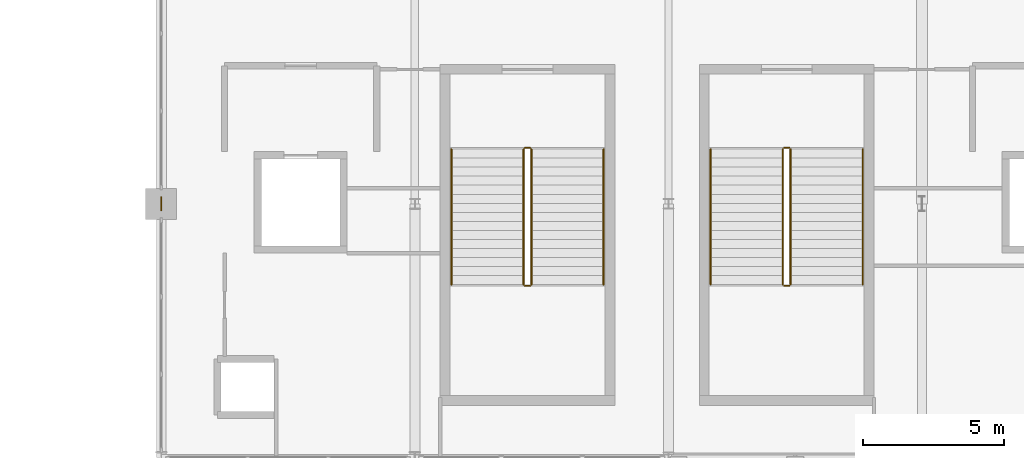
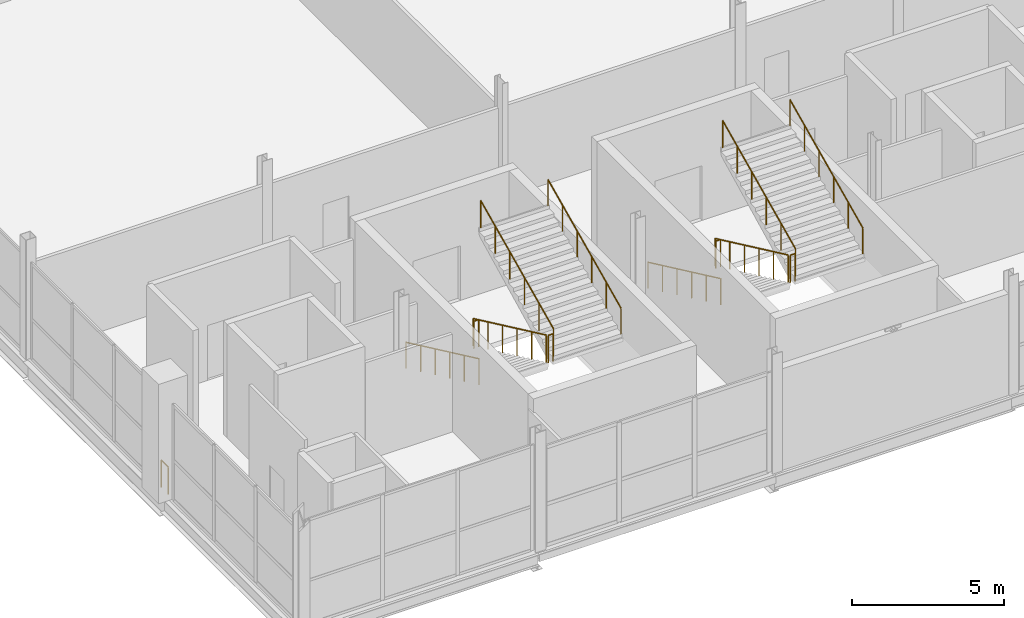
# One storey, part 43 of 50: 13 railings.
"""IFC4 building model written with IfcOpenShell, lengths in metres."""

from ifc_helpers import new_model, si_unit, direction, frame, origin, origin_2d, place, context, subcontext, project, spatial, circle, extrude, material, type_object, element, save


model = new_model("IFC4")

# Units and contexts
model_context = context("Model", 3, precision=1e-05, world=origin(), true_north=direction((0.0, 1.0)))
body_context = subcontext(model_context, "Body", "Model", "MODEL_VIEW")
ifc_project = project(units=[si_unit("LENGTHUNIT", "METRE"), si_unit("AREAUNIT", "SQUARE_METRE"), si_unit("VOLUMEUNIT", "CUBIC_METRE"), si_unit("PLANEANGLEUNIT", "RADIAN"), si_unit("MASSUNIT", "GRAM", prefix="KILO")], contexts=[model_context])

# Site, building, storey
site_placement = place(None, origin())
site = spatial("IfcSite", under=ifc_project, at=site_placement, CompositionType="ELEMENT")
building_placement = place(site_placement, origin())
building = spatial("IfcBuilding", under=site, at=building_placement, Name="Qamarlyn Nura Convention Centre", CompositionType="ELEMENT")
storey_placement = place(building_placement, frame((0.0, 0.0, 20.39990234375)))
storey = spatial("IfcBuildingStorey", under=building, at=storey_placement, Name="L04", CompositionType="ELEMENT", Elevation=20.39990234375)

# Railings
ifc_material = material(Name="Marine Grade 316 stainless steel", Category="steel")
railing_type_1 = type_object("IfcRailingType", Name="GRD-STAIR-112", PredefinedType="BALUSTRADE", material=ifc_material)
railing_1_placement = place(storey_placement, frame((165.860107421875, 10.93994140625, 0.150146484375)))
element("IfcRailing", 1, at=railing_1_placement, inside=storey, type_object=railing_type_1, Name="L04 ST-09 stair guard 1", PredefinedType="BALUSTRADE", context=body_context, shape_type="SweptSolid", body=[
    extrude(circle(Radius=0.02392578125, at=origin_2d()), frame((0.0, 0.0, 1.09619140625), z_axis=(0.0, -0.90546059521, 0.424430336476), x_axis=(1.0, 0.0, 0.0)), (0.0, 0.0, 1.0), 5.30126953125),
    extrude(circle(Radius=0.02099609375, at=origin_2d()), origin(), (0.0, 0.0, 1.0), 1.070068359375),
    extrude(circle(Radius=0.02099609375, at=origin_2d()), frame((0.0, -0.9599609375, 0.449951171875)), (0.0, 0.0, 1.0), 1.070068359375),
    extrude(circle(Radius=0.02099609375, at=origin_2d()), frame((0.0, -1.919921875, 0.89990234375)), (0.0, 0.0, 1.0), 1.070068359375),
    extrude(circle(Radius=0.02099609375, at=origin_2d()), frame((0.0, -2.880126953125, 1.35009765625)), (0.0, 0.0, 1.0), 1.070068359375),
    extrude(circle(Radius=0.02099609375, at=origin_2d()), frame((0.0, -3.840087890625, 1.800048828125)), (0.0, 0.0, 1.0), 1.070068359375),
    extrude(circle(Radius=0.02099609375, at=origin_2d()), frame((0.0, -4.800048828125, 2.25)), (0.0, 0.0, 1.0), 1.070068359375),
])
railing_2_placement = place(storey_placement, frame((165.909912109375, 6.090087890625, 2.400146484375)))
element("IfcRailing", 2, at=railing_2_placement, inside=storey, type_object=railing_type_1, Name="L04 ST-09 stair guard 2", PredefinedType="BALUSTRADE", context=body_context, shape_type="SweptSolid", body=[
    extrude(circle(Radius=0.02392578125, at=origin_2d()), frame((0.0, 0.0, 1.09619140625), z_axis=(1.0, 0.0, 0.0), x_axis=(0.0, 1.0, 0.0)), (0.0, 0.0, 1.0), 0.18017578125),
    extrude(circle(Radius=0.02099609375, at=origin_2d()), origin(), (0.0, 0.0, 1.0), 1.070068359375),
    extrude(circle(Radius=0.02099609375, at=origin_2d()), frame((0.18017578125, 0.0, 0.0)), (0.0, 0.0, 1.0), 1.070068359375),
])
railing_3_placement = place(storey_placement, frame((166.139892578125, 6.139892578125, 2.550048828125)))
element("IfcRailing", 3, at=railing_3_placement, inside=storey, type_object=railing_type_1, Name="L04 ST-09 stair guard 3", PredefinedType="BALUSTRADE", context=body_context, shape_type="SweptSolid", body=[
    extrude(circle(Radius=0.02392578125, at=origin_2d()), frame((0.0, 0.0, 1.09619140625), z_axis=(0.0, 0.90546059521, 0.424430336476), x_axis=(-1.0, 0.0, 0.0)), (0.0, 0.0, 1.0), 5.30126953125),
    extrude(circle(Radius=0.02099609375, at=origin_2d()), origin(), (0.0, 0.0, 1.0), 1.070068359375),
    extrude(circle(Radius=0.02099609375, at=origin_2d()), frame((0.0, 0.9599609375, 0.449951171875)), (0.0, 0.0, 1.0), 1.070068359375),
    extrude(circle(Radius=0.02099609375, at=origin_2d()), frame((0.0, 1.919921875, 0.89990234375)), (0.0, 0.0, 1.0), 1.070068359375),
    extrude(circle(Radius=0.02099609375, at=origin_2d()), frame((0.0, 2.880126953125, 1.35009765625)), (0.0, 0.0, 1.0), 1.070068359375),
    extrude(circle(Radius=0.02099609375, at=origin_2d()), frame((0.0, 3.840087890625, 1.800048828125)), (0.0, 0.0, 1.0), 1.070068359375),
    extrude(circle(Radius=0.02099609375, at=origin_2d()), frame((0.0, 4.800048828125, 2.25)), (0.0, 0.0, 1.0), 1.070068359375),
])
railing_4_placement = place(storey_placement, frame((165.909912109375, 10.989990234375, 0.0)))
element("IfcRailing", 4, at=railing_4_placement, inside=storey, type_object=railing_type_1, Name="L04 ST-09 stair guard 4", PredefinedType="BALUSTRADE", context=body_context, shape_type="SweptSolid", body=[
    extrude(circle(Radius=0.02392578125, at=origin_2d()), frame((0.0, 0.0, 1.09619140625), z_axis=(1.0, 0.0, 0.0), x_axis=(0.0, 1.0, 0.0)), (0.0, 0.0, 1.0), 0.18017578125),
    extrude(circle(Radius=0.02099609375, at=origin_2d()), origin(), (0.0, 0.0, 1.0), 1.070068359375),
    extrude(circle(Radius=0.02099609375, at=origin_2d()), frame((0.18017578125, 0.0, 0.0)), (0.0, 0.0, 1.0), 1.070068359375),
])
railing_5_placement = place(storey_placement, frame((175.06005859375, 10.93994140625, 0.150146484375)))
element("IfcRailing", 5, at=railing_5_placement, inside=storey, type_object=railing_type_1, Name="L04 ST-10 stair guard 1", PredefinedType="BALUSTRADE", context=body_context, shape_type="SweptSolid", body=[
    extrude(circle(Radius=0.02392578125, at=origin_2d()), frame((0.0, 0.0, 1.09619140625), z_axis=(0.0, -0.90546059521, 0.424430336476), x_axis=(1.0, 0.0, 0.0)), (0.0, 0.0, 1.0), 5.30126953125),
    extrude(circle(Radius=0.02099609375, at=origin_2d()), origin(), (0.0, 0.0, 1.0), 1.070068359375),
    extrude(circle(Radius=0.02099609375, at=origin_2d()), frame((0.0, -0.9599609375, 0.449951171875)), (0.0, 0.0, 1.0), 1.070068359375),
    extrude(circle(Radius=0.02099609375, at=origin_2d()), frame((0.0, -1.919921875, 0.89990234375)), (0.0, 0.0, 1.0), 1.070068359375),
    extrude(circle(Radius=0.02099609375, at=origin_2d()), frame((0.0, -2.880126953125, 1.35009765625)), (0.0, 0.0, 1.0), 1.070068359375),
    extrude(circle(Radius=0.02099609375, at=origin_2d()), frame((0.0, -3.840087890625, 1.800048828125)), (0.0, 0.0, 1.0), 1.070068359375),
    extrude(circle(Radius=0.02099609375, at=origin_2d()), frame((0.0, -4.800048828125, 2.25)), (0.0, 0.0, 1.0), 1.070068359375),
])
railing_6_placement = place(storey_placement, frame((175.110107421875, 6.090087890625, 2.400146484375)))
element("IfcRailing", 6, at=railing_6_placement, inside=storey, type_object=railing_type_1, Name="L04 ST-10 stair guard 2", PredefinedType="BALUSTRADE", context=body_context, shape_type="SweptSolid", body=[
    extrude(circle(Radius=0.02392578125, at=origin_2d()), frame((0.0, 0.0, 1.09619140625), z_axis=(1.0, 0.0, 0.0), x_axis=(0.0, 1.0, 0.0)), (0.0, 0.0, 1.0), 0.179931640625),
    extrude(circle(Radius=0.02099609375, at=origin_2d()), origin(), (0.0, 0.0, 1.0), 1.070068359375),
    extrude(circle(Radius=0.02099609375, at=origin_2d()), frame((0.179931640625, 0.0, 0.0)), (0.0, 0.0, 1.0), 1.070068359375),
])
railing_7_placement = place(storey_placement, frame((175.340087890625, 6.139892578125, 2.550048828125)))
element("IfcRailing", 7, at=railing_7_placement, inside=storey, type_object=railing_type_1, Name="L04 ST-10 stair guard 3", PredefinedType="BALUSTRADE", context=body_context, shape_type="SweptSolid", body=[
    extrude(circle(Radius=0.02392578125, at=origin_2d()), frame((0.0, 0.0, 1.09619140625), z_axis=(0.0, 0.90546059521, 0.424430336476), x_axis=(-1.0, 0.0, 0.0)), (0.0, 0.0, 1.0), 5.30126953125),
    extrude(circle(Radius=0.02099609375, at=origin_2d()), origin(), (0.0, 0.0, 1.0), 1.070068359375),
    extrude(circle(Radius=0.02099609375, at=origin_2d()), frame((0.0, 0.9599609375, 0.449951171875)), (0.0, 0.0, 1.0), 1.070068359375),
    extrude(circle(Radius=0.02099609375, at=origin_2d()), frame((0.0, 1.919921875, 0.89990234375)), (0.0, 0.0, 1.0), 1.070068359375),
    extrude(circle(Radius=0.02099609375, at=origin_2d()), frame((0.0, 2.880126953125, 1.35009765625)), (0.0, 0.0, 1.0), 1.070068359375),
    extrude(circle(Radius=0.02099609375, at=origin_2d()), frame((0.0, 3.840087890625, 1.800048828125)), (0.0, 0.0, 1.0), 1.070068359375),
    extrude(circle(Radius=0.02099609375, at=origin_2d()), frame((0.0, 4.800048828125, 2.25)), (0.0, 0.0, 1.0), 1.070068359375),
])
railing_8_placement = place(storey_placement, frame((175.110107421875, 10.989990234375, 0.0)))
element("IfcRailing", 8, at=railing_8_placement, inside=storey, type_object=railing_type_1, Name="L04 ST-10 stair guard 4", PredefinedType="BALUSTRADE", context=body_context, shape_type="SweptSolid", body=[
    extrude(circle(Radius=0.02392578125, at=origin_2d()), frame((0.0, 0.0, 1.09619140625), z_axis=(1.0, 0.0, 0.0), x_axis=(0.0, 1.0, 0.0)), (0.0, 0.0, 1.0), 0.179931640625),
    extrude(circle(Radius=0.02099609375, at=origin_2d()), origin(), (0.0, 0.0, 1.0), 1.070068359375),
    extrude(circle(Radius=0.02099609375, at=origin_2d()), frame((0.179931640625, 0.0, 0.0)), (0.0, 0.0, 1.0), 1.070068359375),
])
railing_type_2 = type_object("IfcRailingType", Name="GRD-VOID-112", PredefinedType="BALUSTRADE", material=ifc_material)
railing_9_placement = place(storey_placement, frame((153.0, 8.77001953125, 0.0)))
element("IfcRailing", 9, at=railing_9_placement, inside=storey, type_object=railing_type_2, Name="L04 slab edge balustrade guard 083", PredefinedType="BALUSTRADE", context=body_context, shape_type="SweptSolid", body=[
    extrude(circle(Radius=0.02392578125, at=origin_2d()), frame((0.0, 0.0, 1.09619140625), z_axis=(0.0, 1.0, 0.0), x_axis=(-1.0, 0.0, 0.0)), (0.0, 0.0, 1.0), 0.4599609375),
    extrude(circle(Radius=0.02099609375, at=origin_2d()), origin(), (0.0, 0.0, 1.0), 1.070068359375),
    extrude(circle(Radius=0.02099609375, at=origin_2d()), frame((0.0, 0.4599609375, 0.0)), (0.0, 0.0, 1.0), 1.070068359375),
])
railing_type_3 = type_object("IfcRailingType", Name="HRL-STAIR-090", PredefinedType="HANDRAIL", material=ifc_material)
railing_10_placement = place(storey_placement, frame((163.300048828125, 10.93994140625, 0.302490234375)))
element("IfcRailing", 10, at=railing_10_placement, inside=storey, type_object=railing_type_3, Name="L04 ST-09 stair handrail 1", PredefinedType="HANDRAIL", context=body_context, shape_type="SweptSolid", body=[
    extrude(circle(Radius=0.02392578125, at=origin_2d()), frame((0.0, 0.0, 0.88818359375), z_axis=(0.0, -0.90546059521, 0.424430336476), x_axis=(1.0, 0.0, 0.0)), (0.0, 0.0, 1.0), 5.30126953125),
    extrude(circle(Radius=0.02099609375, at=origin_2d()), frame((0.0, 0.0, -0.155029296875)), (0.0, 0.0, 1.0), 1.01708984375),
    extrude(circle(Radius=0.02099609375, at=origin_2d()), frame((0.0, -0.9599609375, 0.294921875)), (0.0, 0.0, 1.0), 1.01708984375),
    extrude(circle(Radius=0.02099609375, at=origin_2d()), frame((0.0, -1.919921875, 0.744873046875)), (0.0, 0.0, 1.0), 1.01708984375),
    extrude(circle(Radius=0.02099609375, at=origin_2d()), frame((0.0, -2.880126953125, 1.195068359375)), (0.0, 0.0, 1.0), 1.01708984375),
    extrude(circle(Radius=0.02099609375, at=origin_2d()), frame((0.0, -3.840087890625, 1.64501953125)), (0.0, 0.0, 1.0), 1.01708984375),
    extrude(circle(Radius=0.02099609375, at=origin_2d()), frame((0.0, -4.800048828125, 2.094970703125)), (0.0, 0.0, 1.0), 1.01708984375),
])
railing_11_placement = place(storey_placement, frame((168.699951171875, 6.139892578125, 2.702392578125)))
element("IfcRailing", 11, at=railing_11_placement, inside=storey, type_object=railing_type_3, Name="L04 ST-09 stair handrail 2", PredefinedType="HANDRAIL", context=body_context, shape_type="SweptSolid", body=[
    extrude(circle(Radius=0.02392578125, at=origin_2d()), frame((0.0, 0.0, 0.88818359375), z_axis=(0.0, 0.90546059521, 0.424430336476), x_axis=(-1.0, 0.0, 0.0)), (0.0, 0.0, 1.0), 5.30126953125),
    extrude(circle(Radius=0.02099609375, at=origin_2d()), frame((0.0, 0.0, -0.155029296875)), (0.0, 0.0, 1.0), 1.01708984375),
    extrude(circle(Radius=0.02099609375, at=origin_2d()), frame((0.0, 0.9599609375, 0.294921875)), (0.0, 0.0, 1.0), 1.01708984375),
    extrude(circle(Radius=0.02099609375, at=origin_2d()), frame((0.0, 1.919921875, 0.744873046875)), (0.0, 0.0, 1.0), 1.01708984375),
    extrude(circle(Radius=0.02099609375, at=origin_2d()), frame((0.0, 2.880126953125, 1.195068359375)), (0.0, 0.0, 1.0), 1.01708984375),
    extrude(circle(Radius=0.02099609375, at=origin_2d()), frame((0.0, 3.840087890625, 1.64501953125)), (0.0, 0.0, 1.0), 1.01708984375),
    extrude(circle(Radius=0.02099609375, at=origin_2d()), frame((0.0, 4.800048828125, 2.094970703125)), (0.0, 0.0, 1.0), 1.01708984375),
])
railing_12_placement = place(storey_placement, frame((172.5, 10.93994140625, 0.302490234375)))
element("IfcRailing", 12, at=railing_12_placement, inside=storey, type_object=railing_type_3, Name="L04 ST-10 stair handrail 1", PredefinedType="HANDRAIL", context=body_context, shape_type="SweptSolid", body=[
    extrude(circle(Radius=0.02392578125, at=origin_2d()), frame((0.0, 0.0, 0.88818359375), z_axis=(0.0, -0.90546059521, 0.424430336476), x_axis=(1.0, 0.0, 0.0)), (0.0, 0.0, 1.0), 5.30126953125),
    extrude(circle(Radius=0.02099609375, at=origin_2d()), frame((0.0, 0.0, -0.155029296875)), (0.0, 0.0, 1.0), 1.01708984375),
    extrude(circle(Radius=0.02099609375, at=origin_2d()), frame((0.0, -0.9599609375, 0.294921875)), (0.0, 0.0, 1.0), 1.01708984375),
    extrude(circle(Radius=0.02099609375, at=origin_2d()), frame((0.0, -1.919921875, 0.744873046875)), (0.0, 0.0, 1.0), 1.01708984375),
    extrude(circle(Radius=0.02099609375, at=origin_2d()), frame((0.0, -2.880126953125, 1.195068359375)), (0.0, 0.0, 1.0), 1.01708984375),
    extrude(circle(Radius=0.02099609375, at=origin_2d()), frame((0.0, -3.840087890625, 1.64501953125)), (0.0, 0.0, 1.0), 1.01708984375),
    extrude(circle(Radius=0.02099609375, at=origin_2d()), frame((0.0, -4.800048828125, 2.094970703125)), (0.0, 0.0, 1.0), 1.01708984375),
])
railing_13_placement = place(storey_placement, frame((177.89990234375, 6.139892578125, 2.702392578125)))
element("IfcRailing", 13, at=railing_13_placement, inside=storey, type_object=railing_type_3, Name="L04 ST-10 stair handrail 2", PredefinedType="HANDRAIL", context=body_context, shape_type="SweptSolid", body=[
    extrude(circle(Radius=0.02392578125, at=origin_2d()), frame((0.0, 0.0, 0.88818359375), z_axis=(0.0, 0.90546059521, 0.424430336476), x_axis=(-1.0, 0.0, 0.0)), (0.0, 0.0, 1.0), 5.30126953125),
    extrude(circle(Radius=0.02099609375, at=origin_2d()), frame((0.0, 0.0, -0.155029296875)), (0.0, 0.0, 1.0), 1.01708984375),
    extrude(circle(Radius=0.02099609375, at=origin_2d()), frame((0.0, 0.9599609375, 0.294921875)), (0.0, 0.0, 1.0), 1.01708984375),
    extrude(circle(Radius=0.02099609375, at=origin_2d()), frame((0.0, 1.919921875, 0.744873046875)), (0.0, 0.0, 1.0), 1.01708984375),
    extrude(circle(Radius=0.02099609375, at=origin_2d()), frame((0.0, 2.880126953125, 1.195068359375)), (0.0, 0.0, 1.0), 1.01708984375),
    extrude(circle(Radius=0.02099609375, at=origin_2d()), frame((0.0, 3.840087890625, 1.64501953125)), (0.0, 0.0, 1.0), 1.01708984375),
    extrude(circle(Radius=0.02099609375, at=origin_2d()), frame((0.0, 4.800048828125, 2.094970703125)), (0.0, 0.0, 1.0), 1.01708984375),
])

save(model, "model.ifc")
